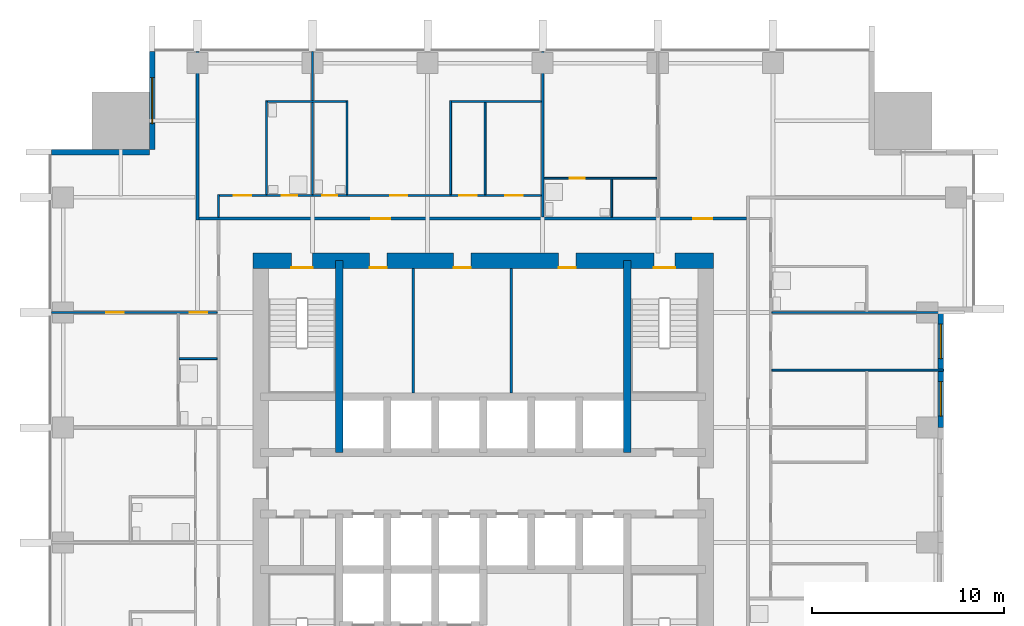
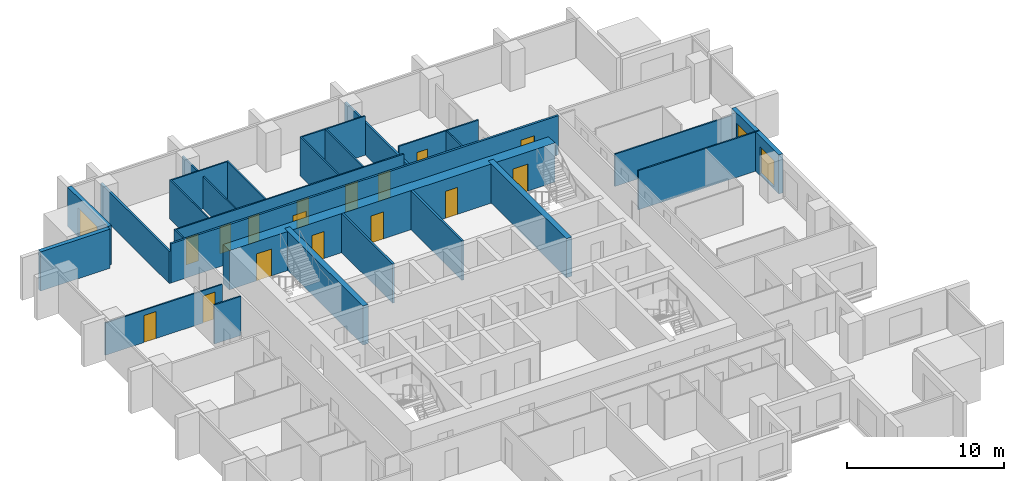
# One storey, part 7 of 10: 26 walls, 16 doors, 3 windows, 19 openings.
"""IFC4 building model written with IfcOpenShell, lengths in metres."""

from ifc_helpers import new_model, si_unit, direction, frame, frame_2d, origin, place, context, subcontext, project, spatial, rectangle, extrude, material, layer, layer_set, type_object, element, fill, save


model = new_model("IFC4")

# Units and contexts
model_context = context("Model", 3, precision=1e-05, world=origin(), true_north=direction((0.0, 1.0)))
body_context = subcontext(model_context, "Body", "Model", "MODEL_VIEW")
ifc_project = project(units=[si_unit("LENGTHUNIT", "METRE"), si_unit("AREAUNIT", "SQUARE_METRE"), si_unit("VOLUMEUNIT", "CUBIC_METRE"), si_unit("PLANEANGLEUNIT", "RADIAN"), si_unit("MASSUNIT", "GRAM", prefix="KILO")], contexts=[model_context])

# Site, building, storey
site_placement = place(None, origin())
site = spatial("IfcSite", under=ifc_project, at=site_placement, CompositionType="ELEMENT")
building_placement = place(site_placement, origin())
building = spatial("IfcBuilding", under=site, at=building_placement, Name="Amberfall Residences", CompositionType="ELEMENT")
storey_placement = place(building_placement, frame((0.0, 0.0, 82.0)))
storey = spatial("IfcBuildingStorey", under=building, at=storey_placement, Name="L21", CompositionType="ELEMENT", Elevation=82.0)

# Wall, opening, window
ifc_material_1 = material(Name="Pale stone cladding on insulated backing", Category="masonry")
ifc_layer_1 = layer(ifc_material_1, 0.300048828125)
ifc_layer_set_1 = layer_set([ifc_layer_1], Name="Bronze clad wall 300")
wall_type_1 = type_object("IfcWallType", Name="Bronze clad wall 300", PredefinedType="SOLIDWALL", material=ifc_layer_set_1)
wall_1_placement = place(storey_placement, frame((57.25, 68.0, 0.0), z_axis=(0.0, 0.0, 1.0), x_axis=(0.0, -1.0, 0.0)))
wall_1 = element("IfcWall", 1, at=wall_1_placement, inside=storey, type_object=wall_type_1, Name="External wall L21 NW", PredefinedType="SOLIDWALL", context=body_context, shape_type="SweptSolid", body=[
    extrude(rectangle(XDim=5.10009765625, YDim=0.300048828125, at=frame_2d((2.550048828125, 0.0))), origin(), (0.0, 0.0, 1.0), 3.050048828125),
])
opening_1_placement = place(wall_1_placement, frame((1.35009765625, 0.0, 0.14990234375)))
opening_1 = element("IfcOpeningElement", 2, at=opening_1_placement, cuts=wall_1, Name="Opening WN5", PredefinedType="OPENING", context=body_context, shape_type="SweptSolid", body=[
    extrude(rectangle(XDim=2.39990234375, YDim=2.10009765625, at=frame_2d((1.199951171875, 1.050048828125))), frame((0.0, 0.159912109375, 0.0), z_axis=(0.0, -1.0, 0.0), x_axis=(1.0, 0.0, 0.0)), (0.0, 0.0, 1.0), 0.320068359375),
])
ifc_material_2 = material(Name="Bronze aluminium framed glazing", Category="aluminium")
window_type_1 = type_object("IfcWindowType", Name="Glazed opening 2400 x 2100 bronze", PartitioningType="DOUBLE_PANEL_VERTICAL", PredefinedType="WINDOW", material=ifc_material_2)
window_1_placement = place(opening_1_placement, origin())
window_1 = element("IfcWindow", 3, at=window_1_placement, inside=storey, type_object=window_type_1, Name="Window L21 NW", OverallHeight=2.10009765625, OverallWidth=2.39990234375, PartitioningType="DOUBLE_PANEL_VERTICAL", PredefinedType="WINDOW", context=body_context, shape_type="SweptSolid", body=[
    extrude(rectangle(XDim=2.39990234375, YDim=2.10009765625, at=frame_2d((1.199951171875, 1.050048828125))), frame((0.0, 0.030029296875, 0.0), z_axis=(0.0, -1.0, 0.0), x_axis=(1.0, 0.0, 0.0)), (0.0, 0.0, 1.0), 0.06005859375),
])
fill(opening_1, window_1)

# Wall
wall_2_placement = place(storey_placement, frame((57.10009765625, 62.75, 0.0), z_axis=(0.0, 0.0, 1.0), x_axis=(-1.0, 0.0, 0.0)))
element("IfcWall", 4, at=wall_2_placement, inside=storey, type_object=wall_type_1, Name="External wall L21 NW", PredefinedType="SOLIDWALL", context=body_context, shape_type="SweptSolid", body=[
    extrude(rectangle(XDim=5.10009765625, YDim=0.300048828125, at=frame_2d((2.550048828125, 0.0))), origin(), (0.0, 0.0, 1.0), 3.050048828125),
])

# Wall, openings, windows
wall_3_placement = place(storey_placement, frame((98.35009765625, 48.39990234375, 0.0), z_axis=(0.0, 0.0, 1.0), x_axis=(0.0, 1.0, 0.0)))
wall_3 = element("IfcWall", 5, at=wall_3_placement, inside=storey, type_object=wall_type_1, Name="Stone wall L21 E", PredefinedType="SOLIDWALL", context=body_context, shape_type="SweptSolid", body=[
    extrude(rectangle(XDim=6.0, YDim=0.300048828125, at=frame_2d((3.0, 0.0))), origin(), (0.0, 0.0, 1.0), 3.050048828125),
])
opening_2_placement = place(wall_3_placement, frame((0.60009765625, 0.0, 0.14990234375)))
opening_2 = element("IfcOpeningElement", 6, at=opening_2_placement, cuts=wall_3, Name="Opening WN6", PredefinedType="OPENING", context=body_context, shape_type="SweptSolid", body=[
    extrude(rectangle(XDim=1.800048828125, YDim=2.10009765625, at=frame_2d((0.89990234375, 1.050048828125))), frame((0.0, 0.159912109375, 0.0), z_axis=(0.0, -1.0, 0.0), x_axis=(1.0, 0.0, 0.0)), (0.0, 0.0, 1.0), 0.320068359375),
])
opening_3_placement = place(wall_3_placement, frame((3.60009765625, 0.0, 0.14990234375)))
opening_3 = element("IfcOpeningElement", 7, at=opening_3_placement, cuts=wall_3, Name="Opening WN6", PredefinedType="OPENING", context=body_context, shape_type="SweptSolid", body=[
    extrude(rectangle(XDim=1.800048828125, YDim=2.10009765625, at=frame_2d((0.89990234375, 1.050048828125))), frame((0.0, 0.159912109375, 0.0), z_axis=(0.0, -1.0, 0.0), x_axis=(1.0, 0.0, 0.0)), (0.0, 0.0, 1.0), 0.320068359375),
])
window_type_2 = type_object("IfcWindowType", Name="Glazed opening 1800 x 2100 bronze", PartitioningType="DOUBLE_PANEL_VERTICAL", PredefinedType="WINDOW", material=ifc_material_2)
window_2_placement = place(opening_2_placement, origin())
window_2 = element("IfcWindow", 8, at=window_2_placement, inside=storey, type_object=window_type_2, Name="Window L21 E", OverallHeight=2.10009765625, OverallWidth=1.800048828125, PartitioningType="DOUBLE_PANEL_VERTICAL", PredefinedType="WINDOW", context=body_context, shape_type="SweptSolid", body=[
    extrude(rectangle(XDim=1.800048828125, YDim=2.10009765625, at=frame_2d((0.89990234375, 1.050048828125))), frame((0.0, 0.030029296875, 0.0), z_axis=(0.0, -1.0, 0.0), x_axis=(1.0, 0.0, 0.0)), (0.0, 0.0, 1.0), 0.06005859375),
])
fill(opening_2, window_2)
window_3_placement = place(opening_3_placement, origin())
window_3 = element("IfcWindow", 9, at=window_3_placement, inside=storey, type_object=window_type_2, Name="Window L21 E", OverallHeight=2.10009765625, OverallWidth=1.800048828125, PartitioningType="DOUBLE_PANEL_VERTICAL", PredefinedType="WINDOW", context=body_context, shape_type="SweptSolid", body=[
    extrude(rectangle(XDim=1.800048828125, YDim=2.10009765625, at=frame_2d((0.89990234375, 1.050048828125))), frame((0.0, 0.030029296875, 0.0), z_axis=(0.0, -1.0, 0.0), x_axis=(1.0, 0.0, 0.0)), (0.0, 0.0, 1.0), 0.06005859375),
])
fill(opening_3, window_3)

# Walls
ifc_material_3 = material(Name="Concrete C70", Category="concrete")
ifc_layer_2 = layer(ifc_material_3, 0.39990234375)
ifc_layer_set_2 = layer_set([ifc_layer_2], Name="Core wall 400 C70")
wall_type_2 = type_object("IfcWallType", Name="Core wall 400 C70", PredefinedType="SHEAR", material=ifc_layer_set_2)
for number, where, z_axis, x_axis, name in (
    (10, (67.0, 47.10009765625, 0.0), (0.0, 0.0, 1.0), (0.0, 1.0, 0.0), "Core wall RW4 L21 V45N"),
    (11, (82.0, 47.10009765625, 0.0), (0.0, 0.0, 1.0), (0.0, 1.0, 0.0), "Core wall RW4 L21 V195N"),
):
    element("IfcWall", number, at=place(storey_placement, frame(where, z_axis=z_axis, x_axis=x_axis)), inside=storey, type_object=wall_type_2, Name=name, PredefinedType="SHEAR", context=body_context, shape_type="SweptSolid", body=[
        extrude(rectangle(XDim=10.0, YDim=0.39990234375, at=frame_2d((5.0, 0.0))), origin(), (0.0, 0.0, 1.0), 3.050048828125),
    ])

# Wall, openings, doors
ifc_layer_3 = layer(ifc_material_3, 0.800048828125)
ifc_layer_set_3 = layer_set([ifc_layer_3], Name="Core wall 800 C70")
wall_type_3 = type_object("IfcWallType", Name="Core wall 800 C70", PredefinedType="SHEAR", material=ifc_layer_set_3)
wall_4_placement = place(storey_placement, frame((62.5, 57.10009765625, 0.0), z_axis=(0.0, 0.0, 1.0), x_axis=(1.0, 0.0, 0.0)))
wall_4 = element("IfcWall", 12, at=wall_4_placement, inside=storey, type_object=wall_type_3, Name="Core wall RW3 L21 ON", PredefinedType="SHEAR", context=body_context, shape_type="SweptSolid", body=[
    extrude(rectangle(XDim=24.0, YDim=0.800048828125, at=frame_2d((12.0, 0.0))), origin(), (0.0, 0.0, 1.0), 3.050048828125),
])
opening_4_placement = place(wall_4_placement, frame((20.89990234375, 0.0, 0.0)))
opening_4 = element("IfcOpeningElement", 13, at=opening_4_placement, cuts=wall_4, Name="Opening SD1", PredefinedType="OPENING", context=body_context, shape_type="SweptSolid", body=[
    extrude(rectangle(XDim=1.10009765625, YDim=2.10009765625, at=frame_2d((0.550048828125, 1.050048828125))), frame((0.0, 0.409912109375, 0.0), z_axis=(0.0, -1.0, 0.0), x_axis=(1.0, 0.0, 0.0)), (0.0, 0.0, 1.0), 0.820068359375),
])
opening_5_placement = place(wall_4_placement, frame((2.0, 0.0, 0.0)))
opening_5 = element("IfcOpeningElement", 14, at=opening_5_placement, cuts=wall_4, Name="Opening SD1", PredefinedType="OPENING", context=body_context, shape_type="SweptSolid", body=[
    extrude(rectangle(XDim=1.10009765625, YDim=2.10009765625, at=frame_2d((0.550048828125, 1.050048828125))), frame((0.0, 0.409912109375, 0.0), z_axis=(0.0, -1.0, 0.0), x_axis=(1.0, 0.0, 0.0)), (0.0, 0.0, 1.0), 0.820068359375),
])
opening_6_placement = place(wall_4_placement, frame((6.074951171875, 0.0, 0.0)))
opening_6 = element("IfcOpeningElement", 15, at=opening_6_placement, cuts=wall_4, Name="Opening RD1", PredefinedType="OPENING", context=body_context, shape_type="SweptSolid", body=[
    extrude(rectangle(XDim=0.89990234375, YDim=2.10009765625, at=frame_2d((0.449951171875, 1.050048828125))), frame((0.0, 0.409912109375, 0.0), z_axis=(0.0, -1.0, 0.0), x_axis=(1.0, 0.0, 0.0)), (0.0, 0.0, 1.0), 0.820068359375),
])
opening_7_placement = place(wall_4_placement, frame((10.455078125, 0.0, 0.0)))
opening_7 = element("IfcOpeningElement", 16, at=opening_7_placement, cuts=wall_4, Name="Opening RD1", PredefinedType="OPENING", context=body_context, shape_type="SweptSolid", body=[
    extrude(rectangle(XDim=0.89990234375, YDim=2.10009765625, at=frame_2d((0.449951171875, 1.050048828125))), frame((0.0, 0.409912109375, 0.0), z_axis=(0.0, -1.0, 0.0), x_axis=(1.0, 0.0, 0.0)), (0.0, 0.0, 1.0), 0.820068359375),
])
opening_8_placement = place(wall_4_placement, frame((15.929931640625, 0.0, 0.0)))
opening_8 = element("IfcOpeningElement", 17, at=opening_8_placement, cuts=wall_4, Name="Opening RD1", PredefinedType="OPENING", context=body_context, shape_type="SweptSolid", body=[
    extrude(rectangle(XDim=0.89990234375, YDim=2.10009765625, at=frame_2d((0.449951171875, 1.050048828125))), frame((0.0, 0.409912109375, 0.0), z_axis=(0.0, -1.0, 0.0), x_axis=(1.0, 0.0, 0.0)), (0.0, 0.0, 1.0), 0.820068359375),
])
ifc_material_4 = material(Name="Steel fire door set", Category="steel")
door_type_1 = type_object("IfcDoorType", Name="Service room door 900 x 2100", OperationType="SINGLE_SWING_LEFT", PredefinedType="DOOR", material=ifc_material_4)
door_1_placement = place(opening_6_placement, origin())
door_1 = element("IfcDoor", 18, at=door_1_placement, inside=storey, type_object=door_type_1, Name="RD1 L21", OperationType="SINGLE_SWING_RIGHT", OverallHeight=2.10009765625, OverallWidth=0.89990234375, PredefinedType="DOOR", context=body_context, shape_type="SweptSolid", body=[
    extrude(rectangle(XDim=0.89990234375, YDim=2.10009765625, at=frame_2d((0.449951171875, 1.050048828125))), frame((0.0, -0.33740234375, 0.0), z_axis=(0.0, -1.0, 0.0), x_axis=(1.0, 0.0, 0.0)), (0.0, 0.0, 1.0), 0.050048828125),
])
fill(opening_6, door_1)
door_2_placement = place(opening_7_placement, origin())
door_2 = element("IfcDoor", 19, at=door_2_placement, inside=storey, type_object=door_type_1, Name="RD1 L21", OperationType="SINGLE_SWING_RIGHT", OverallHeight=2.10009765625, OverallWidth=0.89990234375, PredefinedType="DOOR", context=body_context, shape_type="SweptSolid", body=[
    extrude(rectangle(XDim=0.89990234375, YDim=2.10009765625, at=frame_2d((0.449951171875, 1.050048828125))), frame((0.0, -0.33740234375, 0.0), z_axis=(0.0, -1.0, 0.0), x_axis=(1.0, 0.0, 0.0)), (0.0, 0.0, 1.0), 0.050048828125),
])
fill(opening_7, door_2)
door_3_placement = place(opening_8_placement, origin())
door_3 = element("IfcDoor", 20, at=door_3_placement, inside=storey, type_object=door_type_1, Name="RD1 L21", OperationType="SINGLE_SWING_RIGHT", OverallHeight=2.10009765625, OverallWidth=0.89990234375, PredefinedType="DOOR", context=body_context, shape_type="SweptSolid", body=[
    extrude(rectangle(XDim=0.89990234375, YDim=2.10009765625, at=frame_2d((0.449951171875, 1.050048828125))), frame((0.0, -0.33740234375, 0.0), z_axis=(0.0, -1.0, 0.0), x_axis=(1.0, 0.0, 0.0)), (0.0, 0.0, 1.0), 0.050048828125),
])
fill(opening_8, door_3)
door_type_2 = type_object("IfcDoorType", Name="Stair door 1100 x 2100", OperationType="SINGLE_SWING_LEFT", PredefinedType="DOOR", material=ifc_material_4)
door_4_placement = place(opening_4_placement, origin())
door_4 = element("IfcDoor", 21, at=door_4_placement, inside=storey, type_object=door_type_2, Name="SD1 L21", OperationType="SINGLE_SWING_RIGHT", OverallHeight=2.10009765625, OverallWidth=1.10009765625, PredefinedType="DOOR", context=body_context, shape_type="SweptSolid", body=[
    extrude(rectangle(XDim=1.10009765625, YDim=2.10009765625, at=frame_2d((0.550048828125, 1.050048828125))), frame((0.0, -0.33740234375, 0.0), z_axis=(0.0, -1.0, 0.0), x_axis=(1.0, 0.0, 0.0)), (0.0, 0.0, 1.0), 0.050048828125),
])
fill(opening_4, door_4)
door_5_placement = place(opening_5_placement, origin())
door_5 = element("IfcDoor", 22, at=door_5_placement, inside=storey, type_object=door_type_2, Name="SD1 L21", OperationType="SINGLE_SWING_LEFT", OverallHeight=2.10009765625, OverallWidth=1.10009765625, PredefinedType="DOOR", context=body_context, shape_type="SweptSolid", body=[
    extrude(rectangle(XDim=1.10009765625, YDim=2.10009765625, at=frame_2d((0.550048828125, 1.050048828125))), frame((0.0, -0.33740234375, 0.0), z_axis=(0.0, -1.0, 0.0), x_axis=(1.0, 0.0, 0.0)), (0.0, 0.0, 1.0), 0.050048828125),
])
fill(opening_5, door_5)

# Walls
ifc_material_5 = material(Name="Gypsum board on metal stud")
ifc_layer_4 = layer(ifc_material_5, 0.10009765625)
ifc_layer_set_4 = layer_set([ifc_layer_4], Name="Flat partition 100")
wall_type_4 = type_object("IfcWallType", Name="Flat partition 100", PredefinedType="PARTITIONING", material=ifc_layer_set_4)
wall_5_placement = place(storey_placement, frame((60.699951171875, 59.375, 0.0), z_axis=(0.0, 0.0, 1.0), x_axis=(0.0, 1.0, 0.0)))
element("IfcWall", 23, at=wall_5_placement, inside=storey, type_object=wall_type_4, Name="Partition 005", PredefinedType="PARTITIONING", context=body_context, shape_type="SweptSolid", body=[
    extrude(rectangle(XDim=1.175048828125, YDim=0.10009765625, at=frame_2d((0.58740234375, 0.0))), origin(), (0.0, 0.0, 1.0), 3.050048828125),
])
wall_6_placement = place(storey_placement, frame((63.199951171875, 60.550048828125, 0.0), z_axis=(0.0, 0.0, 1.0), x_axis=(0.0, 1.0, 0.0)))
element("IfcWall", 24, at=wall_6_placement, inside=storey, type_object=wall_type_4, Name="Partition 006", PredefinedType="PARTITIONING", context=body_context, shape_type="SweptSolid", body=[
    extrude(rectangle(XDim=4.89990234375, YDim=0.10009765625, at=frame_2d((2.449951171875, 0.0))), origin(), (0.0, 0.0, 1.0), 3.050048828125),
])
wall_7_placement = place(storey_placement, frame((65.60009765625, 60.550048828125, 0.0), z_axis=(0.0, 0.0, 1.0), x_axis=(0.0, 1.0, 0.0)))
element("IfcWall", 25, at=wall_7_placement, inside=storey, type_object=wall_type_4, Name="Partition 007", PredefinedType="PARTITIONING", context=body_context, shape_type="SweptSolid", body=[
    extrude(rectangle(XDim=7.449951171875, YDim=0.10009765625, at=frame_2d((3.72509765625, 0.0))), origin(), (0.0, 0.0, 1.0), 2.51611328125),
])
for number, where, z_axis, x_axis, name in (
    (26, (67.39990234375, 60.550048828125, 0.0), (0.0, 0.0, 1.0), (0.0, 1.0, 0.0), "Partition 008"),
    (27, (72.800048828125, 60.550048828125, 0.0), (0.0, 0.0, 1.0), (0.0, 1.0, 0.0), "Partition 011"),
):
    element("IfcWall", number, at=place(storey_placement, frame(where, z_axis=z_axis, x_axis=x_axis)), inside=storey, type_object=wall_type_4, Name=name, PredefinedType="PARTITIONING", context=body_context, shape_type="SweptSolid", body=[
        extrude(rectangle(XDim=4.89990234375, YDim=0.10009765625, at=frame_2d((2.449951171875, 0.0))), origin(), (0.0, 0.0, 1.0), 3.050048828125),
    ])
wall_8_placement = place(storey_placement, frame((74.60009765625, 60.550048828125, 0.0), z_axis=(0.0, 0.0, 1.0), x_axis=(0.0, 1.0, 0.0)))
element("IfcWall", 28, at=wall_8_placement, inside=storey, type_object=wall_type_4, Name="Partition 012", PredefinedType="PARTITIONING", context=body_context, shape_type="SweptSolid", body=[
    extrude(rectangle(XDim=4.800048828125, YDim=0.10009765625, at=frame_2d((2.39990234375, 0.0))), origin(), (0.0, 0.0, 1.0), 3.050048828125),
])
wall_9_placement = place(storey_placement, frame((81.199951171875, 59.375, 0.0), z_axis=(0.0, 0.0, 1.0), x_axis=(0.0, 1.0, 0.0)))
element("IfcWall", 29, at=wall_9_placement, inside=storey, type_object=wall_type_4, Name="Partition 015", PredefinedType="PARTITIONING", context=body_context, shape_type="SweptSolid", body=[
    extrude(rectangle(XDim=1.97509765625, YDim=0.10009765625, at=frame_2d((0.987548828125, 0.0))), origin(), (0.0, 0.0, 1.0), 3.050048828125),
])
wall_10_placement = place(storey_placement, frame((63.25, 65.39990234375, 0.0), z_axis=(0.0, 0.0, 1.0), x_axis=(1.0, 0.0, 0.0)))
element("IfcWall", 30, at=wall_10_placement, inside=storey, type_object=wall_type_4, Name="Partition 026", PredefinedType="PARTITIONING", context=body_context, shape_type="SweptSolid", body=[
    extrude(rectangle(XDim=4.10009765625, YDim=0.10009765625, at=frame_2d((2.050048828125, 0.0))), origin(), (0.0, 0.0, 1.0), 3.050048828125),
])
wall_11_placement = place(storey_placement, frame((72.85009765625, 65.39990234375, 0.0), z_axis=(0.0, 0.0, 1.0), x_axis=(1.0, 0.0, 0.0)))
element("IfcWall", 31, at=wall_11_placement, inside=storey, type_object=wall_type_4, Name="Partition 027", PredefinedType="PARTITIONING", context=body_context, shape_type="SweptSolid", body=[
    extrude(rectangle(XDim=4.6748046875, YDim=0.10009765625, at=frame_2d((2.33740234375, 0.0))), origin(), (0.0, 0.0, 1.0), 3.050048828125),
])

# Wall, opening, door
wall_12_placement = place(storey_placement, frame((83.550048828125, 61.39990234375, 0.0), z_axis=(0.0, 0.0, 1.0), x_axis=(-1.0, 0.0, 0.0)))
wall_12 = element("IfcWall", 32, at=wall_12_placement, inside=storey, type_object=wall_type_4, Name="Partition 028", PredefinedType="PARTITIONING", context=body_context, shape_type="SweptSolid", body=[
    extrude(rectangle(XDim=5.875, YDim=0.10009765625, at=frame_2d((2.9375, 0.0))), origin(), (0.0, 0.0, 1.0), 3.050048828125),
])
opening_9_placement = place(wall_12_placement, frame((3.75, 0.0, 0.0)))
opening_9 = element("IfcOpeningElement", 33, at=opening_9_placement, cuts=wall_12, Name="Opening D42", PredefinedType="OPENING", context=body_context, shape_type="SweptSolid", body=[
    extrude(rectangle(XDim=0.800048828125, YDim=2.10009765625, at=frame_2d((0.39990234375, 1.050048828125))), frame((0.0, 0.06005859375, 0.0), z_axis=(0.0, -1.0, 0.0), x_axis=(1.0, 0.0, 0.0)), (0.0, 0.0, 1.0), 0.1201171875),
])
ifc_material_6 = material(Name="Timber", Category="wood")
door_type_3 = type_object("IfcDoorType", Name="Bathroom door 800 x 2100", OperationType="SINGLE_SWING_LEFT", PredefinedType="DOOR", material=ifc_material_6)
door_6_placement = place(opening_9_placement, origin())
door_6 = element("IfcDoor", 34, at=door_6_placement, inside=storey, type_object=door_type_3, Name="Door 2106 bath1", OperationType="SINGLE_SWING_LEFT", OverallHeight=2.10009765625, OverallWidth=0.800048828125, PredefinedType="DOOR", context=body_context, shape_type="SweptSolid", body=[
    extrude(rectangle(XDim=0.800048828125, YDim=2.10009765625, at=frame_2d((0.39990234375, 1.050048828125))), frame((0.0, 0.02490234375, 0.0), z_axis=(0.0, -1.0, 0.0), x_axis=(1.0, 0.0, 0.0)), (0.0, 0.0, 1.0), 0.050048828125),
])
fill(opening_9, door_6)

# Wall, openings, doors
wall_13_placement = place(storey_placement, frame((60.75, 60.5, 0.0), z_axis=(0.0, 0.0, 1.0), x_axis=(1.0, 0.0, 0.0)))
wall_13 = element("IfcWall", 35, at=wall_13_placement, inside=storey, type_object=wall_type_4, Name="Partition 029", PredefinedType="PARTITIONING", context=body_context, shape_type="SweptSolid", body=[
    extrude(rectangle(XDim=16.77490234375, YDim=0.10009765625, at=frame_2d((8.387451171875, 0.0))), origin(), (0.0, 0.0, 1.0), 3.050048828125),
])
opening_10_placement = place(wall_13_placement, frame((8.89990234375, 0.0, 0.0)))
opening_10 = element("IfcOpeningElement", 36, at=opening_10_placement, cuts=wall_13, Name="Opening D41", PredefinedType="OPENING", context=body_context, shape_type="SweptSolid", body=[
    extrude(rectangle(XDim=0.89990234375, YDim=2.10009765625, at=frame_2d((0.449951171875, 1.050048828125))), frame((0.0, 0.06005859375, 0.0), z_axis=(0.0, -1.0, 0.0), x_axis=(1.0, 0.0, 0.0)), (0.0, 0.0, 1.0), 0.1201171875),
])
opening_11_placement = place(wall_13_placement, frame((14.89990234375, 0.0, 0.0)))
opening_11 = element("IfcOpeningElement", 37, at=opening_11_placement, cuts=wall_13, Name="Opening D41", PredefinedType="OPENING", context=body_context, shape_type="SweptSolid", body=[
    extrude(rectangle(XDim=0.89990234375, YDim=2.10009765625, at=frame_2d((0.449951171875, 1.050048828125))), frame((0.0, 0.06005859375, 0.0), z_axis=(0.0, -1.0, 0.0), x_axis=(1.0, 0.0, 0.0)), (0.0, 0.0, 1.0), 0.1201171875),
])
opening_12_placement = place(wall_13_placement, frame((12.5, 0.0, 0.0)))
opening_12 = element("IfcOpeningElement", 38, at=opening_12_placement, cuts=wall_13, Name="Opening D41", PredefinedType="OPENING", context=body_context, shape_type="SweptSolid", body=[
    extrude(rectangle(XDim=0.89990234375, YDim=2.10009765625, at=frame_2d((0.449951171875, 1.050048828125))), frame((0.0, 0.06005859375, 0.0), z_axis=(0.0, -1.0, 0.0), x_axis=(1.0, 0.0, 0.0)), (0.0, 0.0, 1.0), 0.1201171875),
])
opening_13_placement = place(wall_13_placement, frame((5.35009765625, 0.0, 0.0)))
opening_13 = element("IfcOpeningElement", 39, at=opening_13_placement, cuts=wall_13, Name="Opening D42", PredefinedType="OPENING", context=body_context, shape_type="SweptSolid", body=[
    extrude(rectangle(XDim=0.800048828125, YDim=2.10009765625, at=frame_2d((0.39990234375, 1.050048828125))), frame((0.0, 0.06005859375, 0.0), z_axis=(0.0, -1.0, 0.0), x_axis=(1.0, 0.0, 0.0)), (0.0, 0.0, 1.0), 0.1201171875),
])
opening_14_placement = place(wall_13_placement, frame((0.75, 0.0, 0.0)))
opening_14 = element("IfcOpeningElement", 40, at=opening_14_placement, cuts=wall_13, Name="Opening D41", PredefinedType="OPENING", context=body_context, shape_type="SweptSolid", body=[
    extrude(rectangle(XDim=0.89990234375, YDim=2.10009765625, at=frame_2d((0.449951171875, 1.050048828125))), frame((0.0, 0.06005859375, 0.0), z_axis=(0.0, -1.0, 0.0), x_axis=(1.0, 0.0, 0.0)), (0.0, 0.0, 1.0), 0.1201171875),
])
opening_15_placement = place(wall_13_placement, frame((3.25, 0.0, 0.0)))
opening_15 = element("IfcOpeningElement", 41, at=opening_15_placement, cuts=wall_13, Name="Opening D42", PredefinedType="OPENING", context=body_context, shape_type="SweptSolid", body=[
    extrude(rectangle(XDim=0.800048828125, YDim=2.10009765625, at=frame_2d((0.39990234375, 1.050048828125))), frame((0.0, 0.06005859375, 0.0), z_axis=(0.0, -1.0, 0.0), x_axis=(1.0, 0.0, 0.0)), (0.0, 0.0, 1.0), 0.1201171875),
])
door_7_placement = place(opening_13_placement, origin())
door_7 = element("IfcDoor", 42, at=door_7_placement, inside=storey, type_object=door_type_3, Name="Door 2105 wc1", OperationType="SINGLE_SWING_LEFT", OverallHeight=2.10009765625, OverallWidth=0.800048828125, PredefinedType="DOOR", context=body_context, shape_type="SweptSolid", body=[
    extrude(rectangle(XDim=0.800048828125, YDim=2.10009765625, at=frame_2d((0.39990234375, 1.050048828125))), frame((0.0, 0.02490234375, 0.0), z_axis=(0.0, -1.0, 0.0), x_axis=(1.0, 0.0, 0.0)), (0.0, 0.0, 1.0), 0.050048828125),
])
fill(opening_13, door_7)
door_8_placement = place(opening_15_placement, origin())
door_8 = element("IfcDoor", 43, at=door_8_placement, inside=storey, type_object=door_type_3, Name="Door 2105 bath1", OperationType="SINGLE_SWING_LEFT", OverallHeight=2.10009765625, OverallWidth=0.800048828125, PredefinedType="DOOR", context=body_context, shape_type="SweptSolid", body=[
    extrude(rectangle(XDim=0.800048828125, YDim=2.10009765625, at=frame_2d((0.39990234375, 1.050048828125))), frame((0.0, 0.02490234375, 0.0), z_axis=(0.0, -1.0, 0.0), x_axis=(1.0, 0.0, 0.0)), (0.0, 0.0, 1.0), 0.050048828125),
])
fill(opening_15, door_8)
door_type_4 = type_object("IfcDoorType", Name="Internal door 900 x 2100", OperationType="SINGLE_SWING_LEFT", PredefinedType="DOOR", material=ifc_material_6)
door_9_placement = place(opening_10_placement, origin())
door_9 = element("IfcDoor", 44, at=door_9_placement, inside=storey, type_object=door_type_4, Name="Door 2105 living", OperationType="SINGLE_SWING_LEFT", OverallHeight=2.10009765625, OverallWidth=0.89990234375, PredefinedType="DOOR", context=body_context, shape_type="SweptSolid", body=[
    extrude(rectangle(XDim=0.89990234375, YDim=2.10009765625, at=frame_2d((0.449951171875, 1.050048828125))), frame((0.0, 0.02490234375, 0.0), z_axis=(0.0, -1.0, 0.0), x_axis=(1.0, 0.0, 0.0)), (0.0, 0.0, 1.0), 0.050048828125),
])
fill(opening_10, door_9)
door_10_placement = place(opening_11_placement, origin())
door_10 = element("IfcDoor", 45, at=door_10_placement, inside=storey, type_object=door_type_4, Name="Door 2105 kitchen", OperationType="SINGLE_SWING_LEFT", OverallHeight=2.10009765625, OverallWidth=0.89990234375, PredefinedType="DOOR", context=body_context, shape_type="SweptSolid", body=[
    extrude(rectangle(XDim=0.89990234375, YDim=2.10009765625, at=frame_2d((0.449951171875, 1.050048828125))), frame((0.0, 0.02490234375, 0.0), z_axis=(0.0, -1.0, 0.0), x_axis=(1.0, 0.0, 0.0)), (0.0, 0.0, 1.0), 0.050048828125),
])
fill(opening_11, door_10)
door_11_placement = place(opening_12_placement, origin())
door_11 = element("IfcDoor", 46, at=door_11_placement, inside=storey, type_object=door_type_4, Name="Door 2105 utility", OperationType="SINGLE_SWING_LEFT", OverallHeight=2.10009765625, OverallWidth=0.89990234375, PredefinedType="DOOR", context=body_context, shape_type="SweptSolid", body=[
    extrude(rectangle(XDim=0.89990234375, YDim=2.10009765625, at=frame_2d((0.449951171875, 1.050048828125))), frame((0.0, 0.02490234375, 0.0), z_axis=(0.0, -1.0, 0.0), x_axis=(1.0, 0.0, 0.0)), (0.0, 0.0, 1.0), 0.050048828125),
])
fill(opening_12, door_11)
door_12_placement = place(opening_14_placement, origin())
door_12 = element("IfcDoor", 47, at=door_12_placement, inside=storey, type_object=door_type_4, Name="Door 2105 bedroom1", OperationType="SINGLE_SWING_LEFT", OverallHeight=2.10009765625, OverallWidth=0.89990234375, PredefinedType="DOOR", context=body_context, shape_type="SweptSolid", body=[
    extrude(rectangle(XDim=0.89990234375, YDim=2.10009765625, at=frame_2d((0.449951171875, 1.050048828125))), frame((0.0, 0.02490234375, 0.0), z_axis=(0.0, -1.0, 0.0), x_axis=(1.0, 0.0, 0.0)), (0.0, 0.0, 1.0), 0.050048828125),
])
fill(opening_14, door_12)

wall_14_placement = place(storey_placement, frame((60.625, 54.39990234375, 0.0), z_axis=(0.0, 0.0, 1.0), x_axis=(-1.0, 0.0, 0.0)))
wall_14 = element("IfcWall", 48, at=wall_14_placement, inside=storey, type_object=wall_type_4, Name="Partition 032", PredefinedType="PARTITIONING", context=body_context, shape_type="SweptSolid", body=[
    extrude(rectangle(XDim=8.625, YDim=0.10009765625, at=frame_2d((4.3125, 0.0))), origin(), (0.0, 0.0, 1.0), 2.51611328125),
])
opening_16_placement = place(wall_14_placement, frame((0.52490234375, 0.0, 0.0)))
opening_16 = element("IfcOpeningElement", 49, at=opening_16_placement, cuts=wall_14, Name="Opening D41", PredefinedType="OPENING", context=body_context, shape_type="SweptSolid", body=[
    extrude(rectangle(XDim=0.89990234375, YDim=2.10009765625, at=frame_2d((0.449951171875, 1.050048828125))), frame((0.0, 0.06005859375, 0.0), z_axis=(0.0, -1.0, 0.0), x_axis=(1.0, 0.0, 0.0)), (0.0, 0.0, 1.0), 0.1201171875),
])
opening_17_placement = place(wall_14_placement, frame((4.875, 0.0, 0.0)))
opening_17 = element("IfcOpeningElement", 50, at=opening_17_placement, cuts=wall_14, Name="Opening D41", PredefinedType="OPENING", context=body_context, shape_type="SweptSolid", body=[
    extrude(rectangle(XDim=0.89990234375, YDim=2.10009765625, at=frame_2d((0.449951171875, 1.050048828125))), frame((0.0, 0.06005859375, 0.0), z_axis=(0.0, -1.0, 0.0), x_axis=(1.0, 0.0, 0.0)), (0.0, 0.0, 1.0), 0.1201171875),
])
door_13_placement = place(opening_16_placement, origin())
door_13 = element("IfcDoor", 51, at=door_13_placement, inside=storey, type_object=door_type_4, Name="Door 2108 kitchen", OperationType="SINGLE_SWING_LEFT", OverallHeight=2.10009765625, OverallWidth=0.89990234375, PredefinedType="DOOR", context=body_context, shape_type="SweptSolid", body=[
    extrude(rectangle(XDim=0.89990234375, YDim=2.10009765625, at=frame_2d((0.449951171875, 1.050048828125))), frame((0.0, 0.02490234375, 0.0), z_axis=(0.0, -1.0, 0.0), x_axis=(1.0, 0.0, 0.0)), (0.0, 0.0, 1.0), 0.050048828125),
])
fill(opening_16, door_13)
door_14_placement = place(opening_17_placement, origin())
door_14 = element("IfcDoor", 52, at=door_14_placement, inside=storey, type_object=door_type_4, Name="Door 2108 bedroom1", OperationType="SINGLE_SWING_LEFT", OverallHeight=2.10009765625, OverallWidth=0.89990234375, PredefinedType="DOOR", context=body_context, shape_type="SweptSolid", body=[
    extrude(rectangle(XDim=0.89990234375, YDim=2.10009765625, at=frame_2d((0.449951171875, 1.050048828125))), frame((0.0, 0.02490234375, 0.0), z_axis=(0.0, -1.0, 0.0), x_axis=(1.0, 0.0, 0.0)), (0.0, 0.0, 1.0), 0.050048828125),
])
fill(opening_17, door_14)

# Walls
wall_15_placement = place(storey_placement, frame((89.550048828125, 54.39990234375, 0.0), z_axis=(0.0, 0.0, 1.0), x_axis=(1.0, 0.0, 0.0)))
element("IfcWall", 53, at=wall_15_placement, inside=storey, type_object=wall_type_4, Name="Partition 033", PredefinedType="PARTITIONING", context=body_context, shape_type="SweptSolid", body=[
    extrude(rectangle(XDim=8.949951171875, YDim=0.10009765625, at=frame_2d((4.47509765625, 0.0))), origin(), (0.0, 0.0, 1.0), 2.51611328125),
])
wall_16_placement = place(storey_placement, frame((58.64990234375, 52.0, 0.0), z_axis=(0.0, 0.0, 1.0), x_axis=(1.0, 0.0, 0.0)))
element("IfcWall", 54, at=wall_16_placement, inside=storey, type_object=wall_type_4, Name="Partition 034", PredefinedType="PARTITIONING", context=body_context, shape_type="SweptSolid", body=[
    extrude(rectangle(XDim=1.97509765625, YDim=0.10009765625, at=frame_2d((0.987548828125, 0.0))), origin(), (0.0, 0.0, 1.0), 3.050048828125),
])
wall_17_placement = place(storey_placement, frame((89.550048828125, 51.39990234375, 0.0), z_axis=(0.0, 0.0, 1.0), x_axis=(1.0, 0.0, 0.0)))
element("IfcWall", 55, at=wall_17_placement, inside=storey, type_object=wall_type_4, Name="Partition 035", PredefinedType="PARTITIONING", context=body_context, shape_type="SweptSolid", body=[
    extrude(rectangle(XDim=8.949951171875, YDim=0.10009765625, at=frame_2d((4.47509765625, 0.0))), origin(), (0.0, 0.0, 1.0), 3.050048828125),
])
ifc_material_7 = material(Name="Blockwork, plastered", Category="masonry")
ifc_layer_5 = layer(ifc_material_7, 0.14990234375)
ifc_layer_set_5 = layer_set([ifc_layer_5], Name="Flat separating wall 150")
wall_type_5 = type_object("IfcWallType", Name="Flat separating wall 150", PredefinedType="PARTITIONING", material=ifc_layer_set_5)
wall_18_placement = place(storey_placement, frame((59.60009765625, 59.22509765625, 0.0), z_axis=(0.0, 0.0, 1.0), x_axis=(0.0, 1.0, 0.0)))
element("IfcWall", 56, at=wall_18_placement, inside=storey, type_object=wall_type_5, Name="Separating wall 051", PredefinedType="PARTITIONING", context=body_context, shape_type="SweptSolid", body=[
    extrude(rectangle(XDim=8.77490234375, YDim=0.14990234375, at=frame_2d((4.387451171875, 0.0))), origin(), (0.0, 0.0, 1.0), 2.510009765625),
])
wall_19_placement = place(storey_placement, frame((77.60009765625, 59.375, 0.0), z_axis=(0.0, 0.0, 1.0), x_axis=(0.0, 1.0, 0.0)))
element("IfcWall", 57, at=wall_19_placement, inside=storey, type_object=wall_type_5, Name="Separating wall 054", PredefinedType="PARTITIONING", context=body_context, shape_type="SweptSolid", body=[
    extrude(rectangle(XDim=8.625, YDim=0.14990234375, at=frame_2d((4.3125, 0.0))), origin(), (0.0, 0.0, 1.0), 2.51611328125),
])

# Wall, openings, doors
wall_20_placement = place(storey_placement, frame((59.675048828125, 59.300048828125, 0.0), z_axis=(0.0, 0.0, 1.0), x_axis=(1.0, 0.0, 0.0)))
wall_20 = element("IfcWall", 58, at=wall_20_placement, inside=storey, type_object=wall_type_5, Name="Separating wall 058", PredefinedType="PARTITIONING", context=body_context, shape_type="SweptSolid", body=[
    extrude(rectangle(XDim=28.550048828125, YDim=0.14990234375, at=frame_2d((14.27490234375, 0.0))), origin(), (0.0, 0.0, 1.0), 3.050048828125),
])
opening_18_placement = place(wall_20_placement, frame((8.97509765625, 0.0, 0.0)))
opening_18 = element("IfcOpeningElement", 59, at=opening_18_placement, cuts=wall_20, Name="Opening D40", PredefinedType="OPENING", context=body_context, shape_type="SweptSolid", body=[
    extrude(rectangle(XDim=1.0, YDim=2.10009765625, at=frame_2d((0.5, 1.050048828125))), frame((0.0, 0.0849609375, 0.0), z_axis=(0.0, -1.0, 0.0), x_axis=(1.0, 0.0, 0.0)), (0.0, 0.0, 1.0), 0.169921875),
])
opening_19_placement = place(wall_20_placement, frame((25.77490234375, 0.0, 0.0)))
opening_19 = element("IfcOpeningElement", 60, at=opening_19_placement, cuts=wall_20, Name="Opening D40", PredefinedType="OPENING", context=body_context, shape_type="SweptSolid", body=[
    extrude(rectangle(XDim=1.0, YDim=2.10009765625, at=frame_2d((0.5, 1.050048828125))), frame((0.0, 0.0849609375, 0.0), z_axis=(0.0, -1.0, 0.0), x_axis=(1.0, 0.0, 0.0)), (0.0, 0.0, 1.0), 0.169921875),
])
ifc_material_8 = material(Name="Timber, fire-rated", Category="wood")
door_type_5 = type_object("IfcDoorType", Name="Flat entrance door FD60 1000 x 2100", OperationType="SINGLE_SWING_LEFT", PredefinedType="DOOR", material=ifc_material_8)
door_15_placement = place(opening_18_placement, origin())
door_15 = element("IfcDoor", 61, at=door_15_placement, inside=storey, type_object=door_type_5, Name="Door 2105 entrance", OperationType="SINGLE_SWING_LEFT", OverallHeight=2.10009765625, OverallWidth=1.0, PredefinedType="DOOR", context=body_context, shape_type="SweptSolid", body=[
    extrude(rectangle(XDim=1.0, YDim=2.10009765625, at=frame_2d((0.5, 1.050048828125))), frame((0.0, 0.02490234375, 0.0), z_axis=(0.0, -1.0, 0.0), x_axis=(1.0, 0.0, 0.0)), (0.0, 0.0, 1.0), 0.050048828125),
])
fill(opening_18, door_15)
door_16_placement = place(opening_19_placement, origin())
door_16 = element("IfcDoor", 62, at=door_16_placement, inside=storey, type_object=door_type_5, Name="Door 2106 entrance", OperationType="SINGLE_SWING_LEFT", OverallHeight=2.10009765625, OverallWidth=1.0, PredefinedType="DOOR", context=body_context, shape_type="SweptSolid", body=[
    extrude(rectangle(XDim=1.0, YDim=2.10009765625, at=frame_2d((0.5, 1.050048828125))), frame((0.0, 0.02490234375, 0.0), z_axis=(0.0, -1.0, 0.0), x_axis=(1.0, 0.0, 0.0)), (0.0, 0.0, 1.0), 0.050048828125),
])
fill(opening_19, door_16)

# Walls
ifc_material_9 = material(Name="Concrete blockwork", Category="masonry")
ifc_layer_6 = layer(ifc_material_9, 0.14990234375)
ifc_layer_set_6 = layer_set([ifc_layer_6], Name="Riser wall 150")
wall_type_6 = type_object("IfcWallType", Name="Riser wall 150", PredefinedType="PLUMBINGWALL", material=ifc_layer_set_6)
for number, where, z_axis, x_axis, name in (
    (63, (70.85009765625, 50.199951171875, 0.0), (0.0, 0.0, 1.0), (0.0, 1.0, 0.0), "L21 core wall N0"),
    (64, (75.9599609375, 50.199951171875, 0.0), (0.0, 0.0, 1.0), (0.0, 1.0, 0.0), "L21 core wall N1"),
):
    element("IfcWall", number, at=place(storey_placement, frame(where, z_axis=z_axis, x_axis=x_axis)), inside=storey, type_object=wall_type_6, Name=name, PredefinedType="PLUMBINGWALL", context=body_context, shape_type="SweptSolid", body=[
        extrude(rectangle(XDim=6.5, YDim=0.14990234375, at=frame_2d((3.25, 0.0))), origin(), (0.0, 0.0, 1.0), 3.050048828125),
    ])

save(model, "model.ifc")
